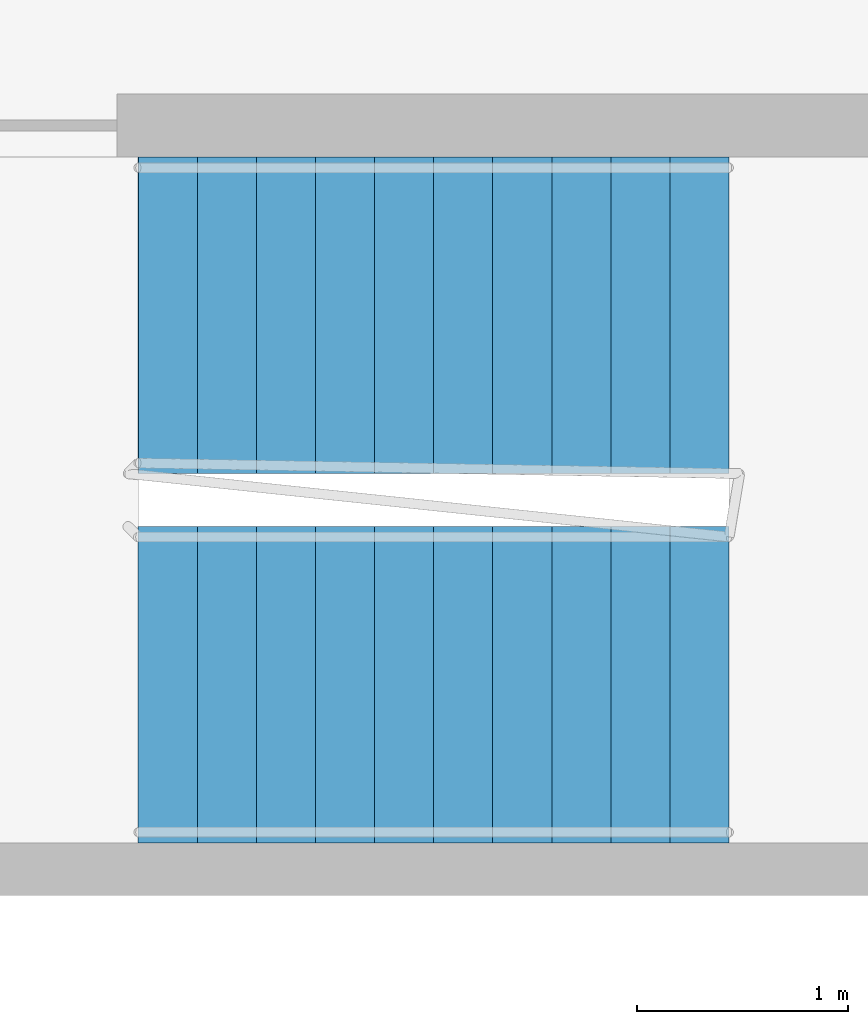
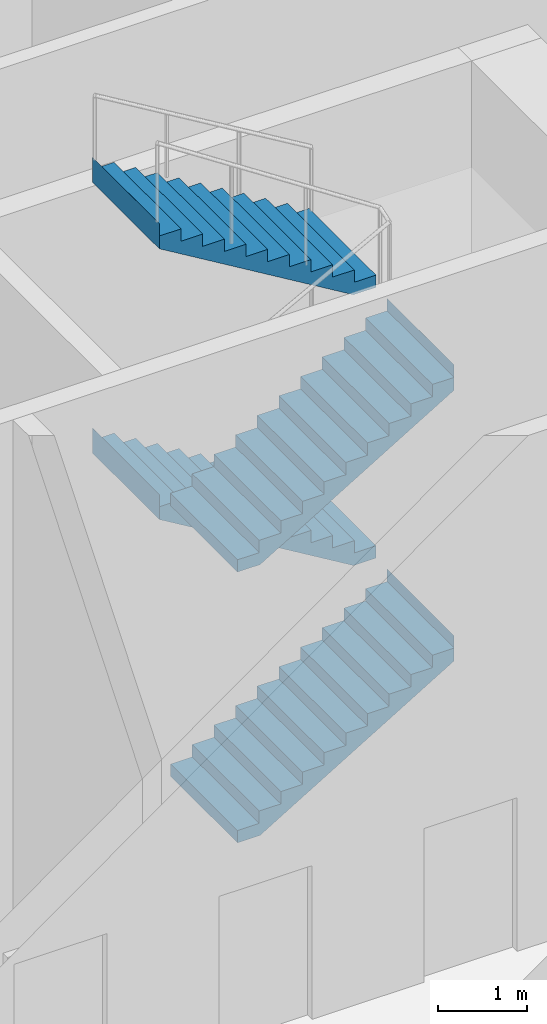
# One storey, part 22 of 25: 4 stair flights, 1 element without a shape of its own.
"""IFC4 building model written with IfcOpenShell, lengths in metres."""

from ifc_helpers import new_model, si_unit, direction, frame, origin, place, context, subcontext, project, spatial, faceted_brep, material, type_object, element, aggregate, save


model = new_model("IFC4")

# Units and contexts
model_context = context("Model", 3, precision=1e-05, world=origin(), true_north=direction((0.0, 1.0)))
body_context = subcontext(model_context, "Body", "Model", "MODEL_VIEW")
ifc_project = project(units=[si_unit("LENGTHUNIT", "METRE"), si_unit("AREAUNIT", "SQUARE_METRE"), si_unit("VOLUMEUNIT", "CUBIC_METRE"), si_unit("PLANEANGLEUNIT", "RADIAN"), si_unit("MASSUNIT", "GRAM", prefix="KILO")], contexts=[model_context])

# Site, building, storey
site_placement = place(None, origin())
site = spatial("IfcSite", under=ifc_project, at=site_placement, CompositionType="ELEMENT")
building_placement = place(site_placement, origin())
building = spatial("IfcBuilding", under=site, at=building_placement, Name="Kajstack Hotel Tower", CompositionType="ELEMENT")
storey_placement = place(building_placement, frame((0.0, 0.0, 155.0)))
storey = spatial("IfcBuildingStorey", under=building, at=storey_placement, Name="L36", CompositionType="ELEMENT", Elevation=155.0)

# Stair, stair flights
ifc_material = material(Name="Concrete C40/50", Category="concrete")
stair_type = type_object("IfcStairType", Name="Exit stair 1500", PredefinedType="HALF_TURN_STAIR", material=ifc_material)
stair_placement = place(storey_placement, origin())
stair = element("IfcStair", 1, at=stair_placement, inside=storey, type_object=stair_type, Name="L36 stair E3", PredefinedType="HALF_TURN_STAIR")
stair_flight_type = type_object("IfcStairFlightType", Name="Exit stair flight 1500", PredefinedType="STRAIGHT", material=ifc_material)
stair_flight_1_placement = place(storey_placement, frame((25.699951171875, 12.699951171875, 0.0), z_axis=(0.0, 0.0, 1.0), x_axis=(1.0, 0.0, 0.0)))
stair_flight_1 = element("IfcStairFlight", 2, at=stair_flight_1_placement, type_object=stair_flight_type, Name="E3 flight 1", NumberOfRisers=11, NumberOfTreads=10, PredefinedType="STRAIGHT", RiserHeight=0.168181818, TreadLength=0.28, context=body_context, shape_type="Brep", body=[
    faceted_brep([(0.291748046875, -0.75, 0.0), (2.800537109375, -0.75, 1.5068359375), (2.800537109375, -0.75, 1.85009765625), (2.800048828125, -0.75, 1.85009765625), (2.800048828125, -0.75, 1.681884765625), (2.52001953125, -0.75, 1.681884765625), (2.52001953125, -0.75, 1.513671875), (2.239990234375, -0.75, 1.513671875), (2.239990234375, -0.75, 1.345458984375), (1.9599609375, -0.75, 1.345458984375), (1.9599609375, -0.75, 1.17724609375), (1.679931640625, -0.75, 1.17724609375), (1.679931640625, -0.75, 1.009033203125), (1.39990234375, -0.75, 1.009033203125), (1.39990234375, -0.75, 0.8408203125), (1.1201171875, -0.75, 0.8408203125), (1.1201171875, -0.75, 0.672607421875), (0.840087890625, -0.75, 0.672607421875), (0.840087890625, -0.75, 0.504638671875), (0.56005859375, -0.75, 0.504638671875), (0.56005859375, -0.75, 0.33642578125), (0.280029296875, -0.75, 0.33642578125), (0.280029296875, -0.75, 0.168212890625), (-0.00048828125, -0.75, 0.168212890625), (-0.00048828125, -0.75, 0.0), (-0.00048828125, 0.75, 0.0), (-0.00048828125, 0.75, 0.168212890625), (0.280029296875, 0.75, 0.168212890625), (0.280029296875, 0.75, 0.33642578125), (0.56005859375, 0.75, 0.33642578125), (0.56005859375, 0.75, 0.504638671875), (0.840087890625, 0.75, 0.504638671875), (0.840087890625, 0.75, 0.672607421875), (1.1201171875, 0.75, 0.672607421875), (1.1201171875, 0.75, 0.8408203125), (1.39990234375, 0.75, 0.8408203125), (1.39990234375, 0.75, 1.009033203125), (1.679931640625, 0.75, 1.009033203125), (1.679931640625, 0.75, 1.17724609375), (1.9599609375, 0.75, 1.17724609375), (1.9599609375, 0.75, 1.345458984375), (2.239990234375, 0.75, 1.345458984375), (2.239990234375, 0.75, 1.513671875), (2.52001953125, 0.75, 1.513671875), (2.52001953125, 0.75, 1.681884765625), (2.800048828125, 0.75, 1.681884765625), (2.800048828125, 0.75, 1.85009765625), (2.800537109375, 0.75, 1.85009765625), (2.800537109375, 0.75, 1.5068359375), (0.291748046875, 0.75, 0.0), (-0.00048828125, -0.375, 0.168212890625), (-0.00048828125, 0.0, 0.168212890625), (-0.00048828125, 0.375, 0.168212890625), (-0.00048828125, 0.375, 0.0), (-0.00048828125, 0.0, 0.0), (-0.00048828125, -0.375, 0.0), (0.280029296875, -0.375, 0.168212890625), (0.280029296875, 0.0, 0.168212890625), (0.280029296875, 0.375, 0.168212890625), (0.280029296875, -0.375, 0.33642578125), (0.280029296875, 0.0, 0.33642578125), (0.280029296875, 0.375, 0.33642578125), (0.56005859375, -0.375, 0.33642578125), (0.56005859375, 0.0, 0.33642578125), (0.56005859375, 0.375, 0.33642578125), (0.56005859375, -0.375, 0.504638671875), (0.56005859375, 0.0, 0.504638671875), (0.56005859375, 0.375, 0.504638671875), (0.840087890625, -0.375, 0.504638671875), (0.840087890625, 0.0, 0.504638671875), (0.840087890625, 0.375, 0.504638671875), (0.840087890625, -0.375, 0.672607421875), (0.840087890625, 0.0, 0.672607421875), (0.840087890625, 0.375, 0.672607421875), (1.1201171875, -0.375, 0.672607421875), (1.1201171875, 0.0, 0.672607421875), (1.1201171875, 0.375, 0.672607421875), (1.1201171875, -0.375, 0.8408203125), (1.1201171875, 0.0, 0.8408203125), (1.1201171875, 0.375, 0.8408203125), (1.39990234375, -0.375, 0.8408203125), (1.39990234375, 0.0, 0.8408203125), (1.39990234375, 0.375, 0.8408203125), (1.39990234375, -0.375, 1.009033203125), (1.39990234375, 0.0, 1.009033203125), (1.39990234375, 0.375, 1.009033203125), (1.679931640625, -0.375, 1.009033203125), (1.679931640625, 0.0, 1.009033203125), (1.679931640625, 0.375, 1.009033203125), (1.679931640625, -0.375, 1.17724609375), (1.679931640625, 0.0, 1.17724609375), (1.679931640625, 0.375, 1.17724609375), (1.9599609375, -0.375, 1.17724609375), (1.9599609375, 0.0, 1.17724609375), (1.9599609375, 0.375, 1.17724609375), (1.9599609375, -0.375, 1.345458984375), (1.9599609375, 0.0, 1.345458984375), (1.9599609375, 0.375, 1.345458984375), (2.239990234375, -0.375, 1.345458984375), (2.239990234375, 0.0, 1.345458984375), (2.239990234375, 0.375, 1.345458984375), (2.239990234375, -0.375, 1.513671875), (2.239990234375, 0.0, 1.513671875), (2.239990234375, 0.375, 1.513671875), (2.52001953125, -0.375, 1.513671875), (2.52001953125, 0.0, 1.513671875), (2.52001953125, 0.375, 1.513671875), (2.52001953125, -0.375, 1.681884765625), (2.52001953125, 0.0, 1.681884765625), (2.52001953125, 0.375, 1.681884765625), (2.800048828125, -0.375, 1.681884765625), (2.800048828125, 0.0, 1.681884765625), (2.800048828125, 0.375, 1.681884765625), (2.800048828125, -0.375, 1.85009765625), (2.800048828125, 0.0, 1.85009765625), (2.800048828125, 0.375, 1.85009765625), (2.800537109375, -0.375, 1.85009765625), (2.800537109375, 0.0, 1.85009765625), (2.800537109375, 0.375, 1.85009765625), (2.800537109375, -0.375, 1.5068359375), (2.800537109375, 0.0, 1.5068359375), (2.800537109375, 0.375, 1.5068359375), (0.291748046875, -0.375, 0.0), (0.291748046875, 0.0, 0.0), (0.291748046875, 0.375, 0.0)], [[[0, 1, 2, 3, 4, 5, 6, 7, 8, 9, 10, 11, 12, 13, 14, 15, 16, 17, 18, 19, 20, 21, 22, 23, 24]], [[25, 26, 27, 28, 29, 30, 31, 32, 33, 34, 35, 36, 37, 38, 39, 40, 41, 42, 43, 44, 45, 46, 47, 48, 49]], [[23, 50, 51, 52, 26, 25, 53, 54, 55, 24]], [[22, 56, 57, 58, 27, 26, 52, 51, 50, 23]], [[21, 59, 60, 61, 28, 27, 58, 57, 56, 22]], [[20, 62, 63, 64, 29, 28, 61, 60, 59, 21]], [[19, 65, 66, 67, 30, 29, 64, 63, 62, 20]], [[18, 68, 69, 70, 31, 30, 67, 66, 65, 19]], [[17, 71, 72, 73, 32, 31, 70, 69, 68, 18]], [[16, 74, 75, 76, 33, 32, 73, 72, 71, 17]], [[15, 77, 78, 79, 34, 33, 76, 75, 74, 16]], [[14, 80, 81, 82, 35, 34, 79, 78, 77, 15]], [[13, 83, 84, 85, 36, 35, 82, 81, 80, 14]], [[12, 86, 87, 88, 37, 36, 85, 84, 83, 13]], [[11, 89, 90, 91, 38, 37, 88, 87, 86, 12]], [[10, 92, 93, 94, 39, 38, 91, 90, 89, 11]], [[9, 95, 96, 97, 40, 39, 94, 93, 92, 10]], [[8, 98, 99, 100, 41, 40, 97, 96, 95, 9]], [[7, 101, 102, 103, 42, 41, 100, 99, 98, 8]], [[6, 104, 105, 106, 43, 42, 103, 102, 101, 7]], [[5, 107, 108, 109, 44, 43, 106, 105, 104, 6]], [[4, 110, 111, 112, 45, 44, 109, 108, 107, 5]], [[3, 113, 114, 115, 46, 45, 112, 111, 110, 4]], [[2, 116, 117, 118, 47, 46, 115, 114, 113, 3]], [[1, 119, 120, 121, 48, 47, 118, 117, 116, 2]], [[0, 122, 123, 124, 49, 48, 121, 120, 119, 1]], [[24, 55, 54, 53, 25, 49, 124, 123, 122, 0]]]),
])
stair_flight_2_placement = place(storey_placement, frame((28.5, 14.449951171875, 1.85009765625), z_axis=(0.0, 0.0, 1.0), x_axis=(-1.0, 0.0, 0.0)))
stair_flight_2 = element("IfcStairFlight", 3, at=stair_flight_2_placement, type_object=stair_flight_type, Name="E3 flight 2", NumberOfRisers=11, NumberOfTreads=10, PredefinedType="STRAIGHT", RiserHeight=0.168181818, TreadLength=0.28, context=body_context, shape_type="Brep", body=[
    faceted_brep([(0.291748046875, -0.75, 0.0), (2.800537109375, -0.75, 1.5068359375), (2.800537109375, -0.75, 1.85009765625), (2.800048828125, -0.75, 1.85009765625), (2.800048828125, -0.75, 1.681884765625), (2.52001953125, -0.75, 1.681884765625), (2.52001953125, -0.75, 1.513671875), (2.239990234375, -0.75, 1.513671875), (2.239990234375, -0.75, 1.345458984375), (1.9599609375, -0.75, 1.345458984375), (1.9599609375, -0.75, 1.17724609375), (1.679931640625, -0.75, 1.17724609375), (1.679931640625, -0.75, 1.009033203125), (1.39990234375, -0.75, 1.009033203125), (1.39990234375, -0.75, 0.8408203125), (1.1201171875, -0.75, 0.8408203125), (1.1201171875, -0.75, 0.672607421875), (0.840087890625, -0.75, 0.672607421875), (0.840087890625, -0.75, 0.504638671875), (0.56005859375, -0.75, 0.504638671875), (0.56005859375, -0.75, 0.33642578125), (0.280029296875, -0.75, 0.33642578125), (0.280029296875, -0.75, 0.168212890625), (-0.00048828125, -0.75, 0.168212890625), (-0.00048828125, -0.75, 0.0), (-0.00048828125, 0.75, 0.0), (-0.00048828125, 0.75, 0.168212890625), (0.280029296875, 0.75, 0.168212890625), (0.280029296875, 0.75, 0.33642578125), (0.56005859375, 0.75, 0.33642578125), (0.56005859375, 0.75, 0.504638671875), (0.840087890625, 0.75, 0.504638671875), (0.840087890625, 0.75, 0.672607421875), (1.1201171875, 0.75, 0.672607421875), (1.1201171875, 0.75, 0.8408203125), (1.39990234375, 0.75, 0.8408203125), (1.39990234375, 0.75, 1.009033203125), (1.679931640625, 0.75, 1.009033203125), (1.679931640625, 0.75, 1.17724609375), (1.9599609375, 0.75, 1.17724609375), (1.9599609375, 0.75, 1.345458984375), (2.239990234375, 0.75, 1.345458984375), (2.239990234375, 0.75, 1.513671875), (2.52001953125, 0.75, 1.513671875), (2.52001953125, 0.75, 1.681884765625), (2.800048828125, 0.75, 1.681884765625), (2.800048828125, 0.75, 1.85009765625), (2.800537109375, 0.75, 1.85009765625), (2.800537109375, 0.75, 1.5068359375), (0.291748046875, 0.75, 0.0), (-0.00048828125, -0.375, 0.168212890625), (-0.00048828125, 0.0, 0.168212890625), (-0.00048828125, 0.375, 0.168212890625), (-0.00048828125, 0.375, 0.0), (-0.00048828125, 0.0, 0.0), (-0.00048828125, -0.375, 0.0), (0.280029296875, -0.375, 0.168212890625), (0.280029296875, 0.0, 0.168212890625), (0.280029296875, 0.375, 0.168212890625), (0.280029296875, -0.375, 0.33642578125), (0.280029296875, 0.0, 0.33642578125), (0.280029296875, 0.375, 0.33642578125), (0.56005859375, -0.375, 0.33642578125), (0.56005859375, 0.0, 0.33642578125), (0.56005859375, 0.375, 0.33642578125), (0.56005859375, -0.375, 0.504638671875), (0.56005859375, 0.0, 0.504638671875), (0.56005859375, 0.375, 0.504638671875), (0.840087890625, -0.375, 0.504638671875), (0.840087890625, 0.0, 0.504638671875), (0.840087890625, 0.375, 0.504638671875), (0.840087890625, -0.375, 0.672607421875), (0.840087890625, 0.0, 0.672607421875), (0.840087890625, 0.375, 0.672607421875), (1.1201171875, -0.375, 0.672607421875), (1.1201171875, 0.0, 0.672607421875), (1.1201171875, 0.375, 0.672607421875), (1.1201171875, -0.375, 0.8408203125), (1.1201171875, 0.0, 0.8408203125), (1.1201171875, 0.375, 0.8408203125), (1.39990234375, -0.375, 0.8408203125), (1.39990234375, 0.0, 0.8408203125), (1.39990234375, 0.375, 0.8408203125), (1.39990234375, -0.375, 1.009033203125), (1.39990234375, 0.0, 1.009033203125), (1.39990234375, 0.375, 1.009033203125), (1.679931640625, -0.375, 1.009033203125), (1.679931640625, 0.0, 1.009033203125), (1.679931640625, 0.375, 1.009033203125), (1.679931640625, -0.375, 1.17724609375), (1.679931640625, 0.0, 1.17724609375), (1.679931640625, 0.375, 1.17724609375), (1.9599609375, -0.375, 1.17724609375), (1.9599609375, 0.0, 1.17724609375), (1.9599609375, 0.375, 1.17724609375), (1.9599609375, -0.375, 1.345458984375), (1.9599609375, 0.0, 1.345458984375), (1.9599609375, 0.375, 1.345458984375), (2.239990234375, -0.375, 1.345458984375), (2.239990234375, 0.0, 1.345458984375), (2.239990234375, 0.375, 1.345458984375), (2.239990234375, -0.375, 1.513671875), (2.239990234375, 0.0, 1.513671875), (2.239990234375, 0.375, 1.513671875), (2.52001953125, -0.375, 1.513671875), (2.52001953125, 0.0, 1.513671875), (2.52001953125, 0.375, 1.513671875), (2.52001953125, -0.375, 1.681884765625), (2.52001953125, 0.0, 1.681884765625), (2.52001953125, 0.375, 1.681884765625), (2.800048828125, -0.375, 1.681884765625), (2.800048828125, 0.0, 1.681884765625), (2.800048828125, 0.375, 1.681884765625), (2.800048828125, -0.375, 1.85009765625), (2.800048828125, 0.0, 1.85009765625), (2.800048828125, 0.375, 1.85009765625), (2.800537109375, -0.375, 1.85009765625), (2.800537109375, 0.0, 1.85009765625), (2.800537109375, 0.375, 1.85009765625), (2.800537109375, -0.375, 1.5068359375), (2.800537109375, 0.0, 1.5068359375), (2.800537109375, 0.375, 1.5068359375), (0.291748046875, -0.375, 0.0), (0.291748046875, 0.0, 0.0), (0.291748046875, 0.375, 0.0)], [[[0, 1, 2, 3, 4, 5, 6, 7, 8, 9, 10, 11, 12, 13, 14, 15, 16, 17, 18, 19, 20, 21, 22, 23, 24]], [[25, 26, 27, 28, 29, 30, 31, 32, 33, 34, 35, 36, 37, 38, 39, 40, 41, 42, 43, 44, 45, 46, 47, 48, 49]], [[23, 50, 51, 52, 26, 25, 53, 54, 55, 24]], [[22, 56, 57, 58, 27, 26, 52, 51, 50, 23]], [[21, 59, 60, 61, 28, 27, 58, 57, 56, 22]], [[20, 62, 63, 64, 29, 28, 61, 60, 59, 21]], [[19, 65, 66, 67, 30, 29, 64, 63, 62, 20]], [[18, 68, 69, 70, 31, 30, 67, 66, 65, 19]], [[17, 71, 72, 73, 32, 31, 70, 69, 68, 18]], [[16, 74, 75, 76, 33, 32, 73, 72, 71, 17]], [[15, 77, 78, 79, 34, 33, 76, 75, 74, 16]], [[14, 80, 81, 82, 35, 34, 79, 78, 77, 15]], [[13, 83, 84, 85, 36, 35, 82, 81, 80, 14]], [[12, 86, 87, 88, 37, 36, 85, 84, 83, 13]], [[11, 89, 90, 91, 38, 37, 88, 87, 86, 12]], [[10, 92, 93, 94, 39, 38, 91, 90, 89, 11]], [[9, 95, 96, 97, 40, 39, 94, 93, 92, 10]], [[8, 98, 99, 100, 41, 40, 97, 96, 95, 9]], [[7, 101, 102, 103, 42, 41, 100, 99, 98, 8]], [[6, 104, 105, 106, 43, 42, 103, 102, 101, 7]], [[5, 107, 108, 109, 44, 43, 106, 105, 104, 6]], [[4, 110, 111, 112, 45, 44, 109, 108, 107, 5]], [[3, 113, 114, 115, 46, 45, 112, 111, 110, 4]], [[2, 116, 117, 118, 47, 46, 115, 114, 113, 3]], [[1, 119, 120, 121, 48, 47, 118, 117, 116, 2]], [[0, 122, 123, 124, 49, 48, 121, 120, 119, 1]], [[24, 55, 54, 53, 25, 49, 124, 123, 122, 0]]]),
])
stair_flight_3_placement = place(storey_placement, frame((25.699951171875, 12.699951171875, 3.699951171875), z_axis=(0.0, 0.0, 1.0), x_axis=(1.0, 0.0, 0.0)))
stair_flight_3 = element("IfcStairFlight", 4, at=stair_flight_3_placement, type_object=stair_flight_type, Name="E3 flight 3", NumberOfRisers=11, NumberOfTreads=10, PredefinedType="STRAIGHT", RiserHeight=0.168181818, TreadLength=0.28, context=body_context, shape_type="Brep", body=[
    faceted_brep([(0.291748046875, -0.75, 0.0), (2.800537109375, -0.75, 1.5068359375), (2.800537109375, -0.75, 1.85009765625), (2.800048828125, -0.75, 1.85009765625), (2.800048828125, -0.75, 1.681884765625), (2.52001953125, -0.75, 1.681884765625), (2.52001953125, -0.75, 1.513671875), (2.239990234375, -0.75, 1.513671875), (2.239990234375, -0.75, 1.345458984375), (1.9599609375, -0.75, 1.345458984375), (1.9599609375, -0.75, 1.17724609375), (1.679931640625, -0.75, 1.17724609375), (1.679931640625, -0.75, 1.009033203125), (1.39990234375, -0.75, 1.009033203125), (1.39990234375, -0.75, 0.8408203125), (1.1201171875, -0.75, 0.8408203125), (1.1201171875, -0.75, 0.672607421875), (0.840087890625, -0.75, 0.672607421875), (0.840087890625, -0.75, 0.504638671875), (0.56005859375, -0.75, 0.504638671875), (0.56005859375, -0.75, 0.33642578125), (0.280029296875, -0.75, 0.33642578125), (0.280029296875, -0.75, 0.168212890625), (-0.00048828125, -0.75, 0.168212890625), (-0.00048828125, -0.75, 0.0), (-0.00048828125, 0.75, 0.0), (-0.00048828125, 0.75, 0.168212890625), (0.280029296875, 0.75, 0.168212890625), (0.280029296875, 0.75, 0.33642578125), (0.56005859375, 0.75, 0.33642578125), (0.56005859375, 0.75, 0.504638671875), (0.840087890625, 0.75, 0.504638671875), (0.840087890625, 0.75, 0.672607421875), (1.1201171875, 0.75, 0.672607421875), (1.1201171875, 0.75, 0.8408203125), (1.39990234375, 0.75, 0.8408203125), (1.39990234375, 0.75, 1.009033203125), (1.679931640625, 0.75, 1.009033203125), (1.679931640625, 0.75, 1.17724609375), (1.9599609375, 0.75, 1.17724609375), (1.9599609375, 0.75, 1.345458984375), (2.239990234375, 0.75, 1.345458984375), (2.239990234375, 0.75, 1.513671875), (2.52001953125, 0.75, 1.513671875), (2.52001953125, 0.75, 1.681884765625), (2.800048828125, 0.75, 1.681884765625), (2.800048828125, 0.75, 1.85009765625), (2.800537109375, 0.75, 1.85009765625), (2.800537109375, 0.75, 1.5068359375), (0.291748046875, 0.75, 0.0), (-0.00048828125, -0.375, 0.168212890625), (-0.00048828125, 0.0, 0.168212890625), (-0.00048828125, 0.375, 0.168212890625), (-0.00048828125, 0.375, 0.0), (-0.00048828125, 0.0, 0.0), (-0.00048828125, -0.375, 0.0), (0.280029296875, -0.375, 0.168212890625), (0.280029296875, 0.0, 0.168212890625), (0.280029296875, 0.375, 0.168212890625), (0.280029296875, -0.375, 0.33642578125), (0.280029296875, 0.0, 0.33642578125), (0.280029296875, 0.375, 0.33642578125), (0.56005859375, -0.375, 0.33642578125), (0.56005859375, 0.0, 0.33642578125), (0.56005859375, 0.375, 0.33642578125), (0.56005859375, -0.375, 0.504638671875), (0.56005859375, 0.0, 0.504638671875), (0.56005859375, 0.375, 0.504638671875), (0.840087890625, -0.375, 0.504638671875), (0.840087890625, 0.0, 0.504638671875), (0.840087890625, 0.375, 0.504638671875), (0.840087890625, -0.375, 0.672607421875), (0.840087890625, 0.0, 0.672607421875), (0.840087890625, 0.375, 0.672607421875), (1.1201171875, -0.375, 0.672607421875), (1.1201171875, 0.0, 0.672607421875), (1.1201171875, 0.375, 0.672607421875), (1.1201171875, -0.375, 0.8408203125), (1.1201171875, 0.0, 0.8408203125), (1.1201171875, 0.375, 0.8408203125), (1.39990234375, -0.375, 0.8408203125), (1.39990234375, 0.0, 0.8408203125), (1.39990234375, 0.375, 0.8408203125), (1.39990234375, -0.375, 1.009033203125), (1.39990234375, 0.0, 1.009033203125), (1.39990234375, 0.375, 1.009033203125), (1.679931640625, -0.375, 1.009033203125), (1.679931640625, 0.0, 1.009033203125), (1.679931640625, 0.375, 1.009033203125), (1.679931640625, -0.375, 1.17724609375), (1.679931640625, 0.0, 1.17724609375), (1.679931640625, 0.375, 1.17724609375), (1.9599609375, -0.375, 1.17724609375), (1.9599609375, 0.0, 1.17724609375), (1.9599609375, 0.375, 1.17724609375), (1.9599609375, -0.375, 1.345458984375), (1.9599609375, 0.0, 1.345458984375), (1.9599609375, 0.375, 1.345458984375), (2.239990234375, -0.375, 1.345458984375), (2.239990234375, 0.0, 1.345458984375), (2.239990234375, 0.375, 1.345458984375), (2.239990234375, -0.375, 1.513671875), (2.239990234375, 0.0, 1.513671875), (2.239990234375, 0.375, 1.513671875), (2.52001953125, -0.375, 1.513671875), (2.52001953125, 0.0, 1.513671875), (2.52001953125, 0.375, 1.513671875), (2.52001953125, -0.375, 1.681884765625), (2.52001953125, 0.0, 1.681884765625), (2.52001953125, 0.375, 1.681884765625), (2.800048828125, -0.375, 1.681884765625), (2.800048828125, 0.0, 1.681884765625), (2.800048828125, 0.375, 1.681884765625), (2.800048828125, -0.375, 1.85009765625), (2.800048828125, 0.0, 1.85009765625), (2.800048828125, 0.375, 1.85009765625), (2.800537109375, -0.375, 1.85009765625), (2.800537109375, 0.0, 1.85009765625), (2.800537109375, 0.375, 1.85009765625), (2.800537109375, -0.375, 1.5068359375), (2.800537109375, 0.0, 1.5068359375), (2.800537109375, 0.375, 1.5068359375), (0.291748046875, -0.375, 0.0), (0.291748046875, 0.0, 0.0), (0.291748046875, 0.375, 0.0)], [[[0, 1, 2, 3, 4, 5, 6, 7, 8, 9, 10, 11, 12, 13, 14, 15, 16, 17, 18, 19, 20, 21, 22, 23, 24]], [[25, 26, 27, 28, 29, 30, 31, 32, 33, 34, 35, 36, 37, 38, 39, 40, 41, 42, 43, 44, 45, 46, 47, 48, 49]], [[23, 50, 51, 52, 26, 25, 53, 54, 55, 24]], [[22, 56, 57, 58, 27, 26, 52, 51, 50, 23]], [[21, 59, 60, 61, 28, 27, 58, 57, 56, 22]], [[20, 62, 63, 64, 29, 28, 61, 60, 59, 21]], [[19, 65, 66, 67, 30, 29, 64, 63, 62, 20]], [[18, 68, 69, 70, 31, 30, 67, 66, 65, 19]], [[17, 71, 72, 73, 32, 31, 70, 69, 68, 18]], [[16, 74, 75, 76, 33, 32, 73, 72, 71, 17]], [[15, 77, 78, 79, 34, 33, 76, 75, 74, 16]], [[14, 80, 81, 82, 35, 34, 79, 78, 77, 15]], [[13, 83, 84, 85, 36, 35, 82, 81, 80, 14]], [[12, 86, 87, 88, 37, 36, 85, 84, 83, 13]], [[11, 89, 90, 91, 38, 37, 88, 87, 86, 12]], [[10, 92, 93, 94, 39, 38, 91, 90, 89, 11]], [[9, 95, 96, 97, 40, 39, 94, 93, 92, 10]], [[8, 98, 99, 100, 41, 40, 97, 96, 95, 9]], [[7, 101, 102, 103, 42, 41, 100, 99, 98, 8]], [[6, 104, 105, 106, 43, 42, 103, 102, 101, 7]], [[5, 107, 108, 109, 44, 43, 106, 105, 104, 6]], [[4, 110, 111, 112, 45, 44, 109, 108, 107, 5]], [[3, 113, 114, 115, 46, 45, 112, 111, 110, 4]], [[2, 116, 117, 118, 47, 46, 115, 114, 113, 3]], [[1, 119, 120, 121, 48, 47, 118, 117, 116, 2]], [[0, 122, 123, 124, 49, 48, 121, 120, 119, 1]], [[24, 55, 54, 53, 25, 49, 124, 123, 122, 0]]]),
])
stair_flight_4_placement = place(storey_placement, frame((28.5, 14.449951171875, 5.550048828125), z_axis=(0.0, 0.0, 1.0), x_axis=(-1.0, 0.0, 0.0)))
stair_flight_4 = element("IfcStairFlight", 5, at=stair_flight_4_placement, type_object=stair_flight_type, Name="E3 flight 4", NumberOfRisers=11, NumberOfTreads=10, PredefinedType="STRAIGHT", RiserHeight=0.168181818, TreadLength=0.28, context=body_context, shape_type="Brep", body=[
    faceted_brep([(0.291748046875, -0.75, 0.0), (2.800537109375, -0.75, 1.5068359375), (2.800537109375, -0.75, 1.85009765625), (2.800048828125, -0.75, 1.85009765625), (2.800048828125, -0.75, 1.681884765625), (2.52001953125, -0.75, 1.681884765625), (2.52001953125, -0.75, 1.513671875), (2.239990234375, -0.75, 1.513671875), (2.239990234375, -0.75, 1.345458984375), (1.9599609375, -0.75, 1.345458984375), (1.9599609375, -0.75, 1.17724609375), (1.679931640625, -0.75, 1.17724609375), (1.679931640625, -0.75, 1.009033203125), (1.39990234375, -0.75, 1.009033203125), (1.39990234375, -0.75, 0.8408203125), (1.1201171875, -0.75, 0.8408203125), (1.1201171875, -0.75, 0.672607421875), (0.840087890625, -0.75, 0.672607421875), (0.840087890625, -0.75, 0.504638671875), (0.56005859375, -0.75, 0.504638671875), (0.56005859375, -0.75, 0.33642578125), (0.280029296875, -0.75, 0.33642578125), (0.280029296875, -0.75, 0.168212890625), (-0.00048828125, -0.75, 0.168212890625), (-0.00048828125, -0.75, 0.0), (-0.00048828125, 0.75, 0.0), (-0.00048828125, 0.75, 0.168212890625), (0.280029296875, 0.75, 0.168212890625), (0.280029296875, 0.75, 0.33642578125), (0.56005859375, 0.75, 0.33642578125), (0.56005859375, 0.75, 0.504638671875), (0.840087890625, 0.75, 0.504638671875), (0.840087890625, 0.75, 0.672607421875), (1.1201171875, 0.75, 0.672607421875), (1.1201171875, 0.75, 0.8408203125), (1.39990234375, 0.75, 0.8408203125), (1.39990234375, 0.75, 1.009033203125), (1.679931640625, 0.75, 1.009033203125), (1.679931640625, 0.75, 1.17724609375), (1.9599609375, 0.75, 1.17724609375), (1.9599609375, 0.75, 1.345458984375), (2.239990234375, 0.75, 1.345458984375), (2.239990234375, 0.75, 1.513671875), (2.52001953125, 0.75, 1.513671875), (2.52001953125, 0.75, 1.681884765625), (2.800048828125, 0.75, 1.681884765625), (2.800048828125, 0.75, 1.85009765625), (2.800537109375, 0.75, 1.85009765625), (2.800537109375, 0.75, 1.5068359375), (0.291748046875, 0.75, 0.0), (-0.00048828125, -0.375, 0.168212890625), (-0.00048828125, 0.0, 0.168212890625), (-0.00048828125, 0.375, 0.168212890625), (-0.00048828125, 0.375, 0.0), (-0.00048828125, 0.0, 0.0), (-0.00048828125, -0.375, 0.0), (0.280029296875, -0.375, 0.168212890625), (0.280029296875, 0.0, 0.168212890625), (0.280029296875, 0.375, 0.168212890625), (0.280029296875, -0.375, 0.33642578125), (0.280029296875, 0.0, 0.33642578125), (0.280029296875, 0.375, 0.33642578125), (0.56005859375, -0.375, 0.33642578125), (0.56005859375, 0.0, 0.33642578125), (0.56005859375, 0.375, 0.33642578125), (0.56005859375, -0.375, 0.504638671875), (0.56005859375, 0.0, 0.504638671875), (0.56005859375, 0.375, 0.504638671875), (0.840087890625, -0.375, 0.504638671875), (0.840087890625, 0.0, 0.504638671875), (0.840087890625, 0.375, 0.504638671875), (0.840087890625, -0.375, 0.672607421875), (0.840087890625, 0.0, 0.672607421875), (0.840087890625, 0.375, 0.672607421875), (1.1201171875, -0.375, 0.672607421875), (1.1201171875, 0.0, 0.672607421875), (1.1201171875, 0.375, 0.672607421875), (1.1201171875, -0.375, 0.8408203125), (1.1201171875, 0.0, 0.8408203125), (1.1201171875, 0.375, 0.8408203125), (1.39990234375, -0.375, 0.8408203125), (1.39990234375, 0.0, 0.8408203125), (1.39990234375, 0.375, 0.8408203125), (1.39990234375, -0.375, 1.009033203125), (1.39990234375, 0.0, 1.009033203125), (1.39990234375, 0.375, 1.009033203125), (1.679931640625, -0.375, 1.009033203125), (1.679931640625, 0.0, 1.009033203125), (1.679931640625, 0.375, 1.009033203125), (1.679931640625, -0.375, 1.17724609375), (1.679931640625, 0.0, 1.17724609375), (1.679931640625, 0.375, 1.17724609375), (1.9599609375, -0.375, 1.17724609375), (1.9599609375, 0.0, 1.17724609375), (1.9599609375, 0.375, 1.17724609375), (1.9599609375, -0.375, 1.345458984375), (1.9599609375, 0.0, 1.345458984375), (1.9599609375, 0.375, 1.345458984375), (2.239990234375, -0.375, 1.345458984375), (2.239990234375, 0.0, 1.345458984375), (2.239990234375, 0.375, 1.345458984375), (2.239990234375, -0.375, 1.513671875), (2.239990234375, 0.0, 1.513671875), (2.239990234375, 0.375, 1.513671875), (2.52001953125, -0.375, 1.513671875), (2.52001953125, 0.0, 1.513671875), (2.52001953125, 0.375, 1.513671875), (2.52001953125, -0.375, 1.681884765625), (2.52001953125, 0.0, 1.681884765625), (2.52001953125, 0.375, 1.681884765625), (2.800048828125, -0.375, 1.681884765625), (2.800048828125, 0.0, 1.681884765625), (2.800048828125, 0.375, 1.681884765625), (2.800048828125, -0.375, 1.85009765625), (2.800048828125, 0.0, 1.85009765625), (2.800048828125, 0.375, 1.85009765625), (2.800537109375, -0.375, 1.85009765625), (2.800537109375, 0.0, 1.85009765625), (2.800537109375, 0.375, 1.85009765625), (2.800537109375, -0.375, 1.5068359375), (2.800537109375, 0.0, 1.5068359375), (2.800537109375, 0.375, 1.5068359375), (0.291748046875, -0.375, 0.0), (0.291748046875, 0.0, 0.0), (0.291748046875, 0.375, 0.0)], [[[0, 1, 2, 3, 4, 5, 6, 7, 8, 9, 10, 11, 12, 13, 14, 15, 16, 17, 18, 19, 20, 21, 22, 23, 24]], [[25, 26, 27, 28, 29, 30, 31, 32, 33, 34, 35, 36, 37, 38, 39, 40, 41, 42, 43, 44, 45, 46, 47, 48, 49]], [[23, 50, 51, 52, 26, 25, 53, 54, 55, 24]], [[22, 56, 57, 58, 27, 26, 52, 51, 50, 23]], [[21, 59, 60, 61, 28, 27, 58, 57, 56, 22]], [[20, 62, 63, 64, 29, 28, 61, 60, 59, 21]], [[19, 65, 66, 67, 30, 29, 64, 63, 62, 20]], [[18, 68, 69, 70, 31, 30, 67, 66, 65, 19]], [[17, 71, 72, 73, 32, 31, 70, 69, 68, 18]], [[16, 74, 75, 76, 33, 32, 73, 72, 71, 17]], [[15, 77, 78, 79, 34, 33, 76, 75, 74, 16]], [[14, 80, 81, 82, 35, 34, 79, 78, 77, 15]], [[13, 83, 84, 85, 36, 35, 82, 81, 80, 14]], [[12, 86, 87, 88, 37, 36, 85, 84, 83, 13]], [[11, 89, 90, 91, 38, 37, 88, 87, 86, 12]], [[10, 92, 93, 94, 39, 38, 91, 90, 89, 11]], [[9, 95, 96, 97, 40, 39, 94, 93, 92, 10]], [[8, 98, 99, 100, 41, 40, 97, 96, 95, 9]], [[7, 101, 102, 103, 42, 41, 100, 99, 98, 8]], [[6, 104, 105, 106, 43, 42, 103, 102, 101, 7]], [[5, 107, 108, 109, 44, 43, 106, 105, 104, 6]], [[4, 110, 111, 112, 45, 44, 109, 108, 107, 5]], [[3, 113, 114, 115, 46, 45, 112, 111, 110, 4]], [[2, 116, 117, 118, 47, 46, 115, 114, 113, 3]], [[1, 119, 120, 121, 48, 47, 118, 117, 116, 2]], [[0, 122, 123, 124, 49, 48, 121, 120, 119, 1]], [[24, 55, 54, 53, 25, 49, 124, 123, 122, 0]]]),
])
aggregate(stair, [stair_flight_1, stair_flight_2, stair_flight_3, stair_flight_4])

save(model, "model.ifc")
